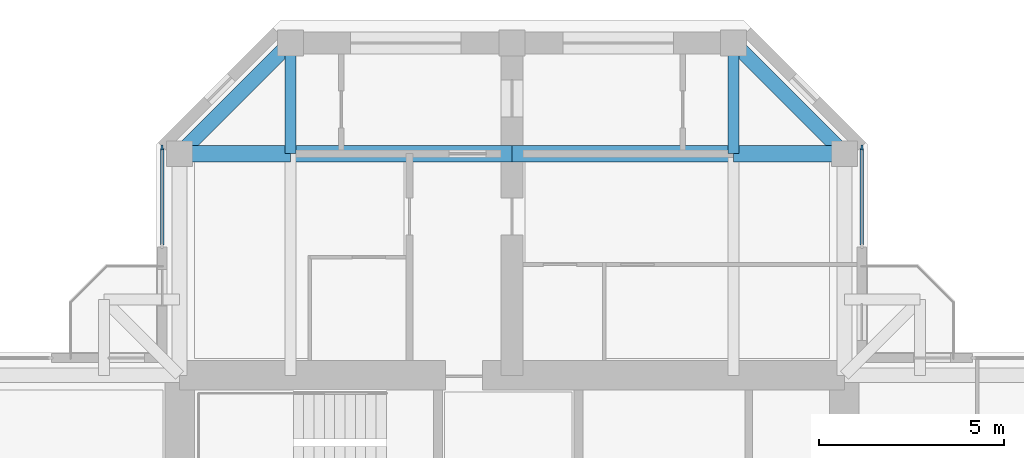
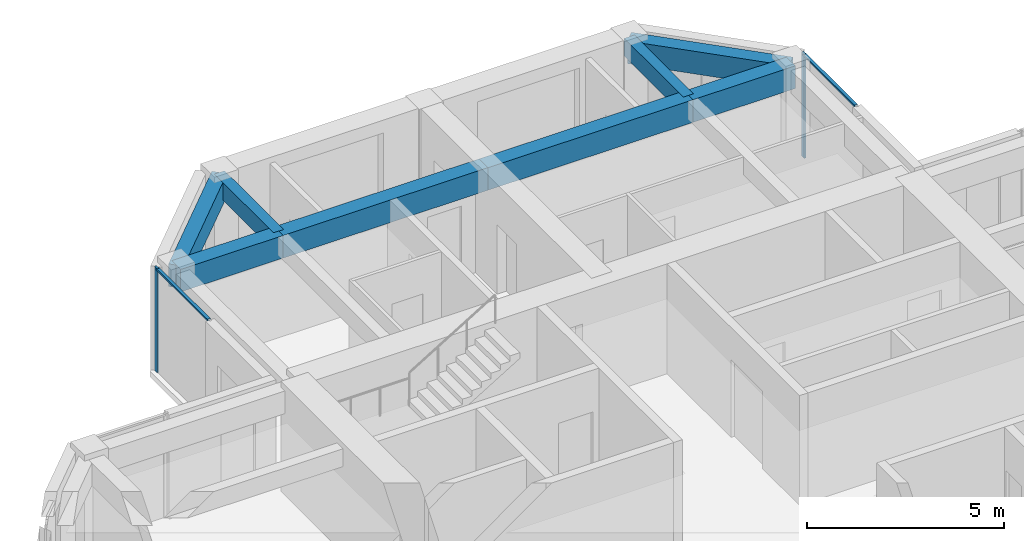
# One storey, part 6 of 13: 8 beams, 4 members, 2 elements without a shape of their own.
"""IFC4 building model written with IfcOpenShell, lengths in metres."""

from ifc_helpers import new_model, si_unit, direction, frame, origin, origin_2d, place, context, subcontext, project, spatial, rectangle, extrude, material, material_profile, profile_set, type_object, element, aggregate, save


model = new_model("IFC4")

# Units and contexts
model_context = context("Model", 3, precision=1e-05, world=origin(), true_north=direction((0.0, 1.0)))
body_context = subcontext(model_context, "Body", "Model", "MODEL_VIEW")
ifc_project = project(units=[si_unit("LENGTHUNIT", "METRE"), si_unit("AREAUNIT", "SQUARE_METRE"), si_unit("VOLUMEUNIT", "CUBIC_METRE"), si_unit("PLANEANGLEUNIT", "RADIAN"), si_unit("MASSUNIT", "GRAM", prefix="KILO")], contexts=[model_context])

# Site, building, storey
site_placement = place(None, origin())
site = spatial("IfcSite", under=ifc_project, at=site_placement, CompositionType="ELEMENT")
building_placement = place(site_placement, origin())
building = spatial("IfcBuilding", under=site, at=building_placement, Name="Torre Cruceta", CompositionType="ELEMENT")
storey_placement = place(building_placement, frame((0.0, 0.0, 281.5)))
storey = spatial("IfcBuildingStorey", under=building, at=storey_placement, Name="L73", CompositionType="ELEMENT", Elevation=281.5)

# Beams
ifc_material_1 = material(Name="Concrete G60 (fck 60 MPa)", Category="concrete")
ifc_material_profile_1 = material_profile(ifc_material_1, rectangle(XDim=0.300048828125, YDim=0.550048828125, at=origin_2d()), Name="RC 300X550")
ifc_profile_set_1 = profile_set([ifc_material_profile_1], Name="Concrete G60 (fck 60 MPa)")
beam_type_1 = type_object("IfcBeamType", Name="COLUMN LINE BEAM RC 300X550", PredefinedType="BEAM", material=ifc_profile_set_1)
for number, where, z_axis, x_axis, name in (
    (1, (6.0, 15.0, 2.945068359375), (0.0, 1.0, 0.0), (-1.0, 0.0, 0.0), "LB10 L73 N col- 2"),
    (2, (-6.0, 15.0, 2.945068359375), (0.0, 1.0, 0.0), (-1.0, 0.0, 0.0), "LB10 L73 N col+ 2"),
):
    element("IfcBeam", number, at=place(storey_placement, frame(where, z_axis=z_axis, x_axis=x_axis)), inside=storey, type_object=beam_type_1, Name=name, PredefinedType="BEAM", context=body_context, shape_type="SweptSolid", body=[
        extrude(rectangle(XDim=0.300048828125, YDim=0.550048828125, at=origin_2d()), origin(), (0.0, 0.0, 1.0), 3.0),
    ])
ifc_material_2 = material(Name="Concrete G60 (fck 60 MPa)", Category="concrete")
ifc_material_profile_2 = material_profile(ifc_material_2, rectangle(XDim=0.449951171875, YDim=0.699951171875, at=origin_2d()), Name="RC 450X700")
ifc_profile_set_2 = profile_set([ifc_material_profile_2], Name="Concrete G60 (fck 60 MPa)")
beam_type_2 = type_object("IfcBeamType", Name="CROSS BEAM RC 450X700", PredefinedType="BEAM", material=ifc_profile_set_2)
beam_1_placement = place(storey_placement, frame((9.0, 15.0, 2.8701171875), z_axis=(-1.0, 0.0, 0.0), x_axis=(0.0, -1.0, 0.0)))
element("IfcBeam", 3, at=beam_1_placement, inside=storey, type_object=beam_type_2, Name="GB8 L73 N cross15 1", PredefinedType="BEAM", context=body_context, shape_type="SweptSolid", body=[
    extrude(rectangle(XDim=0.449951171875, YDim=0.699951171875, at=origin_2d()), origin(), (0.0, 0.0, 1.0), 3.0),
])
for number, where, z_axis, x_axis, name in (
    (4, (6.0, 15.0, 2.8701171875), (-1.0, 0.0, 0.0), (0.0, -1.0, 0.0), "GB8 L73 N cross15 2"),
    (5, (0.0, 15.0, 2.8701171875), (-1.0, 0.0, 0.0), (0.0, -1.0, 0.0), "GB8 L73 N cross15 3"),
):
    element("IfcBeam", number, at=place(storey_placement, frame(where, z_axis=z_axis, x_axis=x_axis)), inside=storey, type_object=beam_type_2, Name=name, PredefinedType="BEAM", context=body_context, shape_type="SweptSolid", body=[
        extrude(rectangle(XDim=0.449951171875, YDim=0.699951171875, at=origin_2d()), origin(), (0.0, 0.0, 1.0), 6.0),
    ])
beam_2_placement = place(storey_placement, frame((-6.0, 15.0, 2.8701171875), z_axis=(-1.0, 0.0, 0.0), x_axis=(0.0, -1.0, 0.0)))
element("IfcBeam", 6, at=beam_2_placement, inside=storey, type_object=beam_type_2, Name="GB8 L73 N cross15 4", PredefinedType="BEAM", context=body_context, shape_type="SweptSolid", body=[
    extrude(rectangle(XDim=0.449951171875, YDim=0.699951171875, at=origin_2d()), origin(), (0.0, 0.0, 1.0), 3.0),
])

# Curtain wall, member
ifc_material_3 = material(Name="Aluminium unitised curtain wall", Category="aluminium")
curtain_wall_type = type_object("IfcCurtainWallType", Name="CURTAIN WALL CW-E CO-LIVING TOP", PredefinedType="USERDEFINED", material=ifc_material_3)
curtain_wall_1_placement = place(storey_placement, origin())
curtain_wall_1 = element("IfcCurtainWall", 7, at=curtain_wall_1_placement, inside=storey, type_object=curtain_wall_type, Name="CW-E L73 N side 05", ObjectType="UNITISED", PredefinedType="USERDEFINED")
ifc_material_4 = material(Name="Aluminium mullion", Category="aluminium")
ifc_material_profile_3 = material_profile(ifc_material_4, rectangle(XDim=0.054931640625, YDim=0.139892578125, at=origin_2d()), Name="AL 55X140")
ifc_profile_set_3 = profile_set([ifc_material_profile_3], Name="Aluminium mullion")
member_type_1 = type_object("IfcMemberType", Name="CW-E MULLION 55X140", PredefinedType="MULLION", material=ifc_profile_set_3)
member_1_placement = place(storey_placement, frame((9.469970703125, 15.167236328125, 0.0), z_axis=(0.0, 0.0, 1.0), x_axis=(-1.0, 0.0, 0.0)))
member_1 = element("IfcMember", 8, at=member_1_placement, type_object=member_type_1, Name="CW-E mullion 2", PredefinedType="MULLION", context=body_context, shape_type="SweptSolid", body=[
    extrude(rectangle(XDim=0.054931640625, YDim=0.139892578125, at=origin_2d()), origin(), (0.0, 0.0, 1.0), 3.219970703125),
])

curtain_wall_2_placement = place(storey_placement, origin())
curtain_wall_2 = element("IfcCurtainWall", 9, at=curtain_wall_2_placement, inside=storey, type_object=curtain_wall_type, Name="CW-E L73 N side 09", ObjectType="UNITISED", PredefinedType="USERDEFINED")
member_2_placement = place(storey_placement, frame((-9.469970703125, 15.167236328125, 0.0), z_axis=(0.0, 0.0, 1.0), x_axis=(1.0, 0.0, 0.0)))
member_2 = element("IfcMember", 10, at=member_2_placement, type_object=member_type_1, Name="CW-E mullion 1", PredefinedType="MULLION", context=body_context, shape_type="SweptSolid", body=[
    extrude(rectangle(XDim=0.054931640625, YDim=0.139892578125, at=origin_2d()), origin(), (0.0, 0.0, 1.0), 3.219970703125),
])

# Member
ifc_material_5 = material(Name="Aluminium transom", Category="aluminium")
ifc_material_profile_4 = material_profile(ifc_material_5, rectangle(XDim=0.090087890625, YDim=0.054931640625, at=origin_2d()), Name="AL 90X55")
ifc_profile_set_4 = profile_set([ifc_material_profile_4], Name="Aluminium transom")
member_type_2 = type_object("IfcMemberType", Name="CW-E TRANSOM 55X90", PredefinedType="USERDEFINED", material=ifc_profile_set_4)
member_3_placement = place(storey_placement, frame((9.469970703125, 12.52490234375, 3.1923828125), z_axis=(0.0, 1.0, 0.0), x_axis=(-1.0, 0.0, 0.0)))
member_3 = element("IfcMember", 11, at=member_3_placement, type_object=member_type_2, Name="CW-E transom 1", ObjectType="TRANSOM", PredefinedType="USERDEFINED", context=body_context, shape_type="SweptSolid", body=[
    extrude(rectangle(XDim=0.090087890625, YDim=0.054931640625, at=origin_2d()), origin(), (0.0, 0.0, 1.0), 2.61474609375),
])

aggregate(curtain_wall_1, [member_1, member_3])

member_4_placement = place(storey_placement, frame((-9.469970703125, 15.1396484375, 3.1923828125), z_axis=(0.0, -1.0, 0.0), x_axis=(1.0, 0.0, 0.0)))
member_4 = element("IfcMember", 12, at=member_4_placement, type_object=member_type_2, Name="CW-E transom 1", ObjectType="TRANSOM", PredefinedType="USERDEFINED", context=body_context, shape_type="SweptSolid", body=[
    extrude(rectangle(XDim=0.090087890625, YDim=0.054931640625, at=origin_2d()), origin(), (0.0, 0.0, 1.0), 2.61474609375),
])

aggregate(curtain_wall_2, [member_2, member_4])

# Beams
ifc_material_6 = material(Name="Concrete G60 (fck 60 MPa)", Category="concrete")
ifc_material_profile_5 = material_profile(ifc_material_6, rectangle(XDim=0.39990234375, YDim=0.699951171875, at=origin_2d()), Name="RC 400X700")
ifc_profile_set_5 = profile_set([ifc_material_profile_5], Name="Concrete G60 (fck 60 MPa)")
beam_type_3 = type_object("IfcBeamType", Name="SPANDREL BEAM RC 400X700", PredefinedType="SPANDREL", material=ifc_profile_set_5)
for number, where, z_axis, x_axis, name in (
    (13, (9.0, 15.0, 2.8701171875), (-0.707106781187, 0.707106781187, 0.0), (-0.707106781187, -0.707106781187, 0.0), "SB8 L73 N side- 2"),
    (14, (-9.0, 15.0, 2.8701171875), (0.707106781187, 0.707106781187, 0.0), (-0.707106781187, 0.707106781187, 0.0), "SB8 L73 N side+ 2"),
):
    element("IfcBeam", number, at=place(storey_placement, frame(where, z_axis=z_axis, x_axis=x_axis)), inside=storey, type_object=beam_type_3, Name=name, PredefinedType="SPANDREL", context=body_context, shape_type="SweptSolid", body=[
        extrude(rectangle(XDim=0.39990234375, YDim=0.699951171875, at=origin_2d()), origin(), (0.0, 0.0, 1.0), 4.24267578125),
    ])

save(model, "model.ifc")
